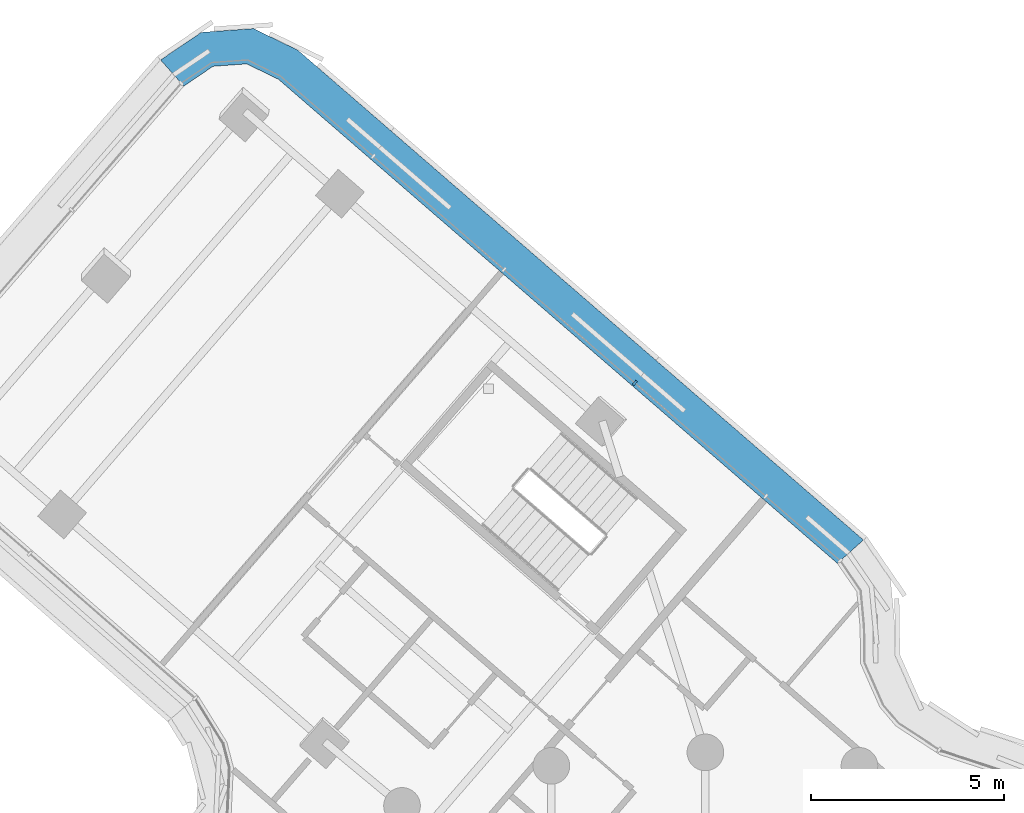
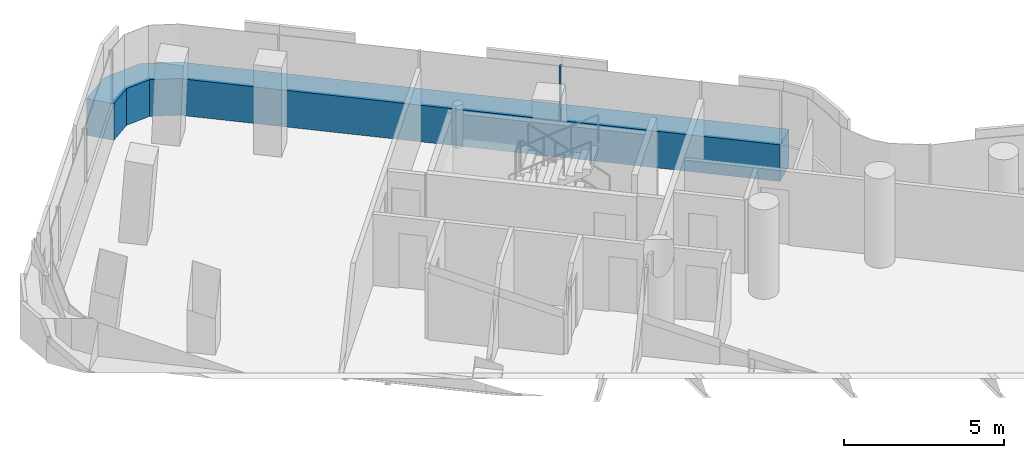
# One storey, part 16 of 32: 2 members, 1 element without a shape of its own.
"""IFC4 building model written with IfcOpenShell, lengths in metres."""

import ifcopenshell
import ifcopenshell.guid

model = None  # the IFC model being written
_history = None  # IfcOwnerHistory: only IFC2X3 demands one
_inside = {}  # id of a spatial element -> (the spatial element, [elements in it])
_under = {}  # id of a project, library or spatial element -> (it, [spatial elements below it])
_declared = {}  # id of a project -> (the project, [libraries it declares])
_typed = {}  # id of a type object -> (the type object, [elements of that type])
_made_of = {}  # id of a material, layer set ... -> (it, [elements and type objects made of it])


def new_model(schema):
    """Start an empty IFC model of exactly this schema.

    Asked for "IFC4X3", IfcOpenShell would pick the latest addendum, in which some entities
    have other attributes; the version numbers below select the first issue.
    IFC2X3 requires an IfcOwnerHistory on every rooted entity: one is made here for all.
    """
    global model, _history
    if schema == "IFC4X3":
        model = ifcopenshell.file(schema_version=(4, 3, 0, 0))
    else:
        model = ifcopenshell.file(schema=schema)
    _inside.clear()
    _under.clear()
    _declared.clear()
    _typed.clear()
    _made_of.clear()
    _history = None
    if model.schema == "IFC2X3":
        org = make("IfcOrganization", Name="unknown")
        user = make(
            "IfcPersonAndOrganization",
            ThePerson=make("IfcPerson", FamilyName="unknown"),
            TheOrganization=org,
        )
        app = make(
            "IfcApplication",
            ApplicationDeveloper=org,
            Version="unknown",
            ApplicationFullName="unknown",
            ApplicationIdentifier="unknown",
        )
        _history = make(
            "IfcOwnerHistory",
            OwningUser=user,
            OwningApplication=app,
            ChangeAction="ADDED",
            CreationDate=0,
        )
    return model


def make(cls, **values):
    """One entity of the class cls with the attributes given. An attribute that is None is left unset."""
    return model.create_entity(
        cls, **{name: value for name, value in values.items() if value is not None}
    )


def rooted(cls, **values):
    """An entity with a GlobalId (a new one), such as an element, a storey or a relation."""
    return make(cls, GlobalId=ifcopenshell.guid.new(), OwnerHistory=_history, **values)


def si_unit(unit_type, name, prefix=None):
    """IfcSIUnit, for example si_unit("LENGTHUNIT", "METRE", prefix="MILLI")."""
    return make("IfcSIUnit", UnitType=unit_type, Prefix=prefix, Name=name)


def assignment(units):
    """IfcUnitAssignment: the units of a project."""
    return None if units is None else make("IfcUnitAssignment", Units=units)


def point(xyz):
    """IfcCartesianPoint."""
    return None if xyz is None else make("IfcCartesianPoint", Coordinates=xyz)


def direction(xyz):
    """IfcDirection."""
    return None if xyz is None else make("IfcDirection", DirectionRatios=xyz)


def frame(location, z_axis=None, x_axis=None):
    """IfcAxis2Placement3D, a coordinate frame: its origin and axes. An axis left out is left unset."""
    return make(
        "IfcAxis2Placement3D",
        Location=point(location),
        Axis=direction(z_axis),
        RefDirection=direction(x_axis),
    )


def frame_2d(location, x_axis=None):
    """IfcAxis2Placement2D, a coordinate frame in the plane: its origin and x axis."""
    return make(
        "IfcAxis2Placement2D", Location=point(location), RefDirection=direction(x_axis)
    )


def origin():
    """The frame at (0, 0, 0) with its axes left unset."""
    return frame((0.0, 0.0, 0.0))


def origin_2d():
    """The frame at (0, 0) in the plane with its x axis left unset."""
    return frame_2d((0.0, 0.0))


def place(relative_to, where):
    """IfcLocalPlacement: puts the frame where relative to a parent placement (None: the world)."""
    return make(
        "IfcLocalPlacement", PlacementRelTo=relative_to, RelativePlacement=where
    )


def context(
    kind, dimensions, precision=None, world=None, true_north=None, identifier=None
):
    """IfcGeometricRepresentationContext, for example the 3D "Model" context."""
    return make(
        "IfcGeometricRepresentationContext",
        ContextIdentifier=identifier,
        ContextType=kind,
        CoordinateSpaceDimension=dimensions,
        Precision=precision,
        WorldCoordinateSystem=world,
        TrueNorth=true_north,
    )


def subcontext(parent, identifier, kind, view, scale=None):
    """IfcGeometricRepresentationSubContext, for example "Body" below "Model"."""
    return make(
        "IfcGeometricRepresentationSubContext",
        ContextIdentifier=identifier,
        ContextType=kind,
        ParentContext=parent,
        TargetScale=scale,
        TargetView=view,
    )


def project(units=None, contexts=None):
    """IfcProject with its units and contexts."""
    return rooted(
        "IfcProject",
        Name="project",
        RepresentationContexts=contexts,
        UnitsInContext=assignment(units),
    )


def spatial(cls, under=None, at=None, **own):
    """A site, building, storey or space (cls), placed at a placement, below another one or the project."""
    s = rooted(cls, ObjectPlacement=at, **own)
    if under is not None:
        _under.setdefault(under.id(), (under, []))[1].append(s)
    return s


def polyline(points):
    """IfcPolyline through the points."""
    return make("IfcPolyline", Points=[point(p) for p in points])


def profile(cls, at=None, kind="AREA", **sizes):
    """A parametric profile (cls). Its sizes go by their IFC names, for example OverallWidth=200.0."""
    return make(cls, ProfileType=kind, Position=at, **sizes)


def rectangle(**sizes):
    """IfcRectangleProfileDef."""
    return profile("IfcRectangleProfileDef", **sizes)


def outline(outer, holes=None, kind="AREA"):
    """IfcArbitraryClosedProfileDef: a profile drawn as a closed curve; with holes, ...WithVoids."""
    if holes is None:
        return make("IfcArbitraryClosedProfileDef", ProfileType=kind, OuterCurve=outer)
    return make(
        "IfcArbitraryProfileDefWithVoids",
        ProfileType=kind,
        OuterCurve=outer,
        InnerCurves=holes,
    )


def extrude(swept, where, along, depth):
    """IfcExtrudedAreaSolid: the profile swept, set in the frame where, extruded along a direction by depth."""
    return make(
        "IfcExtrudedAreaSolid",
        SweptArea=swept,
        Position=where,
        ExtrudedDirection=direction(along),
        Depth=depth,
    )


def shape(context_of_items, identifier, shape_type, items):
    """IfcShapeRepresentation: the items that make up one representation, for example the "Body"."""
    return make(
        "IfcShapeRepresentation",
        ContextOfItems=context_of_items,
        RepresentationIdentifier=identifier,
        RepresentationType=shape_type,
        Items=items,
    )


def material(Name=None, Category=None):
    """IfcMaterial."""
    return make("IfcMaterial", Name=Name, Category=Category)


def layer(
    of_material, thickness, ventilated=None, Name=None, Category=None, Priority=None
):
    """IfcMaterialLayer: one layer of a wall or slab, of a material (None: an air gap)."""
    return make(
        "IfcMaterialLayer",
        Material=of_material,
        LayerThickness=thickness,
        IsVentilated=ventilated,
        Name=Name,
        Category=Category,
        Priority=Priority,
    )


def layer_set(layers, Name=None):
    """IfcMaterialLayerSet."""
    return make("IfcMaterialLayerSet", MaterialLayers=layers, LayerSetName=Name)


def material_profile(
    of_material, cross_section, Name=None, Category=None, Priority=None
):
    """IfcMaterialProfile: a cross section and its material."""
    return make(
        "IfcMaterialProfile",
        Name=Name,
        Material=of_material,
        Profile=cross_section,
        Priority=Priority,
        Category=Category,
    )


def profile_set(profiles, Name=None, composite=None):
    """IfcMaterialProfileSet."""
    return make(
        "IfcMaterialProfileSet",
        Name=Name,
        MaterialProfiles=profiles,
        CompositeProfile=composite,
    )


def made_of(thing, what):
    """Note that an element or type object is made of a material, layer set ...; save() writes the relation."""
    if what is not None:
        _made_of.setdefault(what.id(), (what, []))[1].append(thing)
    return thing


def type_object(cls, material=None, **own):
    """A type object (cls), such as IfcWallType, which elements share."""
    return made_of(rooted(cls, **own), material)


def element(
    cls,
    number,
    at=None,
    inside=None,
    cuts=None,
    type_object=None,
    material=None,
    context=None,
    identifier="Body",
    shape_type=None,
    held_by="IfcProductDefinitionShape",
    body=None,
    shapes=None,
    **own,
):
    """One element of the class cls, such as IfcWall. Its Tag is "e" and its number.

    at: its placement. inside: the storey or other place that contains it. cuts: it is an
    opening in that element (IfcRelVoidsElement). A single representation is given by context,
    identifier, shape_type and body (its items); several are given by shapes. held_by: the class
    of the entity that holds the representations. save() writes the other relations.
    """
    e = rooted(cls, Tag="e%d" % number, ObjectPlacement=at, **own)
    if body is not None:
        shapes = [shape(context, identifier, shape_type, body)]
    if shapes is not None:
        e.Representation = make(held_by, Representations=shapes)
    if inside is not None:
        _inside.setdefault(inside.id(), (inside, []))[1].append(e)
    if cuts is not None:
        rooted(
            "IfcRelVoidsElement", RelatingBuildingElement=cuts, RelatedOpeningElement=e
        )
    if type_object is not None:
        _typed.setdefault(type_object.id(), (type_object, []))[1].append(e)
    return made_of(e, material)


def aggregate(whole, parts):
    """IfcRelAggregates: a whole, such as a stair, and the parts it consists of."""
    return rooted("IfcRelAggregates", RelatingObject=whole, RelatedObjects=parts)


def save(model, path):
    """Write the relations noted so far, then the file.

    IfcRelAggregates (storeys below a building ...), IfcRelContainedInSpatialStructure (elements
    in a storey), IfcRelDefinesByType, IfcRelAssociatesMaterial and IfcRelDeclares: one each for
    every whole, place, type object, material and project.
    """
    for whole, parts in _under.values():
        aggregate(whole, parts)
    for where, things in _inside.values():
        rooted(
            "IfcRelContainedInSpatialStructure",
            RelatedElements=things,
            RelatingStructure=where,
        )
    for kind, things in _typed.values():
        rooted("IfcRelDefinesByType", RelatedObjects=things, RelatingType=kind)
    for what, things in _made_of.values():
        rooted("IfcRelAssociatesMaterial", RelatedObjects=things, RelatingMaterial=what)
    for by, libraries in _declared.values():
        rooted("IfcRelDeclares", RelatingContext=by, RelatedDefinitions=libraries)
    model.write(path)


model = new_model("IFC4")

# Units and contexts
model_context = context("Model", 3, precision=1e-05, world=origin(), true_north=direction((0.0, 1.0)))
body_context = subcontext(model_context, "Body", "Model", "MODEL_VIEW")
ifc_project = project(units=[si_unit("LENGTHUNIT", "METRE"), si_unit("AREAUNIT", "SQUARE_METRE"), si_unit("VOLUMEUNIT", "CUBIC_METRE"), si_unit("PLANEANGLEUNIT", "RADIAN"), si_unit("MASSUNIT", "GRAM", prefix="KILO")], contexts=[model_context])

# Site, building, storey
site_placement = place(None, origin())
site = spatial("IfcSite", under=ifc_project, at=site_placement, CompositionType="ELEMENT")
building_placement = place(site_placement, origin())
building = spatial("IfcBuilding", under=site, at=building_placement, Name="Tamarind Cross Interchange Tower", CompositionType="ELEMENT")
storey_placement = place(building_placement, frame((0.0, 0.0, 211.300048828125)))
storey = spatial("IfcBuildingStorey", under=building, at=storey_placement, Name="L53", CompositionType="ELEMENT", Elevation=211.300048828125)

# Curtain wall, members
ifc_material_1 = material(Name="Aluminium 6063-T6", Category="aluminium")
ifc_layer = layer(ifc_material_1, 0.139892578125)
ifc_layer_set = layer_set([ifc_layer], Name="Aluminium 6063-T6")
curtain_wall_type = type_object("IfcCurtainWallType", Name="Hotel curtain wall, 4.5 m bays", PredefinedType="NOTDEFINED", material=ifc_layer_set)
curtain_wall_placement = place(storey_placement, origin())
curtain_wall = element("IfcCurtainWall", 1, at=curtain_wall_placement, inside=storey, type_object=curtain_wall_type, Name="CWS-L53-07", PredefinedType="NOTDEFINED")
ifc_material_2 = material(Name="Aluminium and insulated spandrel panel", Category="aluminium")
member_type_1 = type_object("IfcMemberType", Name="Floor-edge blade transom", PredefinedType="USERDEFINED", material=ifc_material_2)
member_1_placement = place(storey_placement, origin())
member_1 = element("IfcMember", 2, at=member_1_placement, type_object=member_type_1, Name="CWT-L53-07", ObjectType="TRANSOM", PredefinedType="USERDEFINED", context=body_context, shape_type="SweptSolid", body=[
    extrude(outline(polyline([(3.42041015625, 27.901123046875), (-11.06982421875, 40.450439453125), (-11.893310546875, 40.850341796875), (-12.765625, 40.78759765625), (-13.523681640625, 40.2744140625), (-14.126220703125, 40.953125), (-13.070556640625, 41.668212890625), (-11.71728515625, 41.76513671875), (-10.5703125, 41.20849609375), (4.096923828125, 28.505859375), (3.42041015625, 27.901123046875)])), origin(), (0.0, 0.0, 1.0), 1.39990234375),
])
ifc_material_profile = material_profile(ifc_material_1, rectangle(XDim=0.06005859375, YDim=0.139892578125, at=origin_2d()), Name="Mullion CW2")
ifc_profile_set = profile_set([ifc_material_profile], Name="Aluminium 6063-T6")
member_type_2 = type_object("IfcMemberType", Name="Mullion CW2", PredefinedType="MULLION", material=ifc_profile_set)
member_2_placement = place(storey_placement, frame((-1.827392578125, 32.578369140625, 1.39990234375), z_axis=(0.0, 0.0, 1.0), x_axis=(-0.755917458902, 0.654666934653, 0.0)))
member_2 = element("IfcMember", 3, at=member_2_placement, type_object=member_type_2, Name="CWM-L53-07-02", PredefinedType="MULLION", context=body_context, shape_type="SweptSolid", body=[
    extrude(rectangle(XDim=0.06005859375, YDim=0.139892578125, at=origin_2d()), origin(), (0.0, 0.0, 1.0), 2.02001953125),
])
aggregate(curtain_wall, [member_2, member_1])

save(model, "model.ifc")
